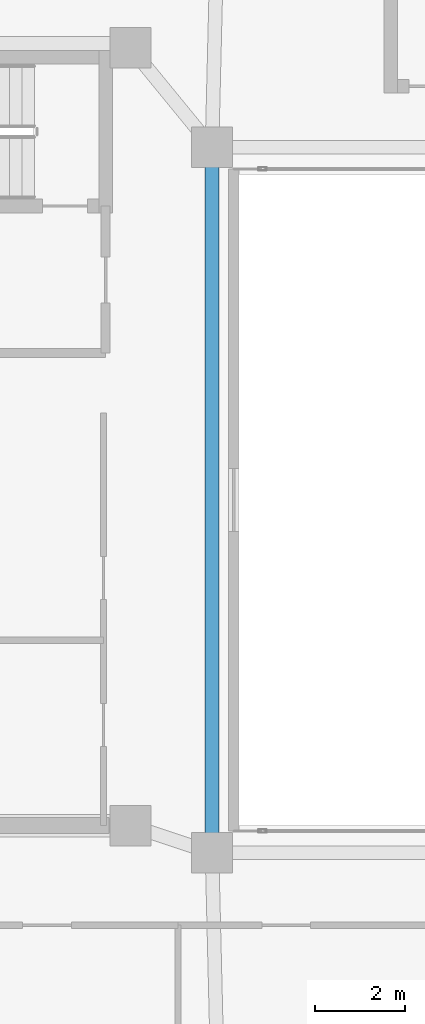
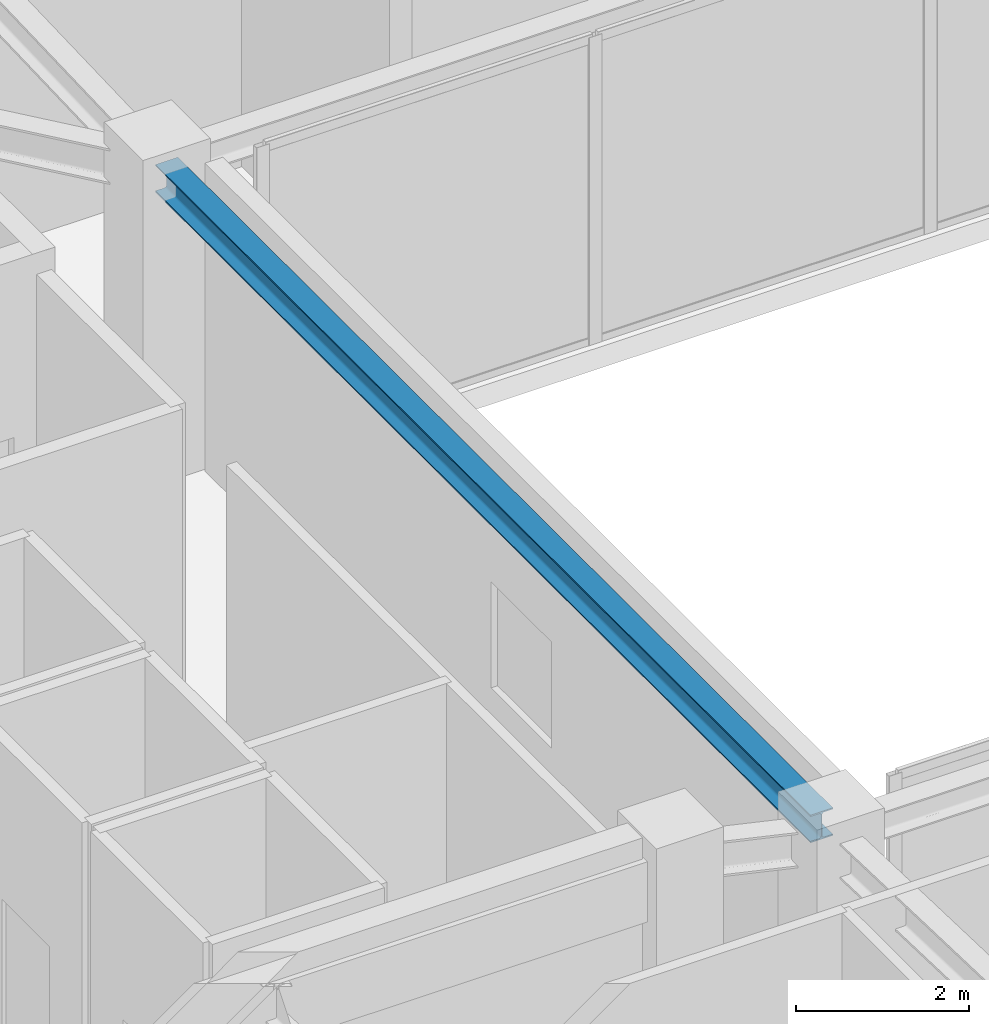
# One storey, part 9 of 34: 1 beam.
"""IFC4 building model written with IfcOpenShell, lengths in metres."""

import ifcopenshell
import ifcopenshell.guid

model = None  # the IFC model being written
_history = None  # IfcOwnerHistory: only IFC2X3 demands one
_inside = {}  # id of a spatial element -> (the spatial element, [elements in it])
_under = {}  # id of a project, library or spatial element -> (it, [spatial elements below it])
_declared = {}  # id of a project -> (the project, [libraries it declares])
_typed = {}  # id of a type object -> (the type object, [elements of that type])
_made_of = {}  # id of a material, layer set ... -> (it, [elements and type objects made of it])


def new_model(schema):
    """Start an empty IFC model of exactly this schema.

    Asked for "IFC4X3", IfcOpenShell would pick the latest addendum, in which some entities
    have other attributes; the version numbers below select the first issue.
    IFC2X3 requires an IfcOwnerHistory on every rooted entity: one is made here for all.
    """
    global model, _history
    if schema == "IFC4X3":
        model = ifcopenshell.file(schema_version=(4, 3, 0, 0))
    else:
        model = ifcopenshell.file(schema=schema)
    _inside.clear()
    _under.clear()
    _declared.clear()
    _typed.clear()
    _made_of.clear()
    _history = None
    if model.schema == "IFC2X3":
        org = make("IfcOrganization", Name="unknown")
        user = make(
            "IfcPersonAndOrganization",
            ThePerson=make("IfcPerson", FamilyName="unknown"),
            TheOrganization=org,
        )
        app = make(
            "IfcApplication",
            ApplicationDeveloper=org,
            Version="unknown",
            ApplicationFullName="unknown",
            ApplicationIdentifier="unknown",
        )
        _history = make(
            "IfcOwnerHistory",
            OwningUser=user,
            OwningApplication=app,
            ChangeAction="ADDED",
            CreationDate=0,
        )
    return model


def make(cls, **values):
    """One entity of the class cls with the attributes given. An attribute that is None is left unset."""
    return model.create_entity(
        cls, **{name: value for name, value in values.items() if value is not None}
    )


def rooted(cls, **values):
    """An entity with a GlobalId (a new one), such as an element, a storey or a relation."""
    return make(cls, GlobalId=ifcopenshell.guid.new(), OwnerHistory=_history, **values)


def si_unit(unit_type, name, prefix=None):
    """IfcSIUnit, for example si_unit("LENGTHUNIT", "METRE", prefix="MILLI")."""
    return make("IfcSIUnit", UnitType=unit_type, Prefix=prefix, Name=name)


def assignment(units):
    """IfcUnitAssignment: the units of a project."""
    return None if units is None else make("IfcUnitAssignment", Units=units)


def point(xyz):
    """IfcCartesianPoint."""
    return None if xyz is None else make("IfcCartesianPoint", Coordinates=xyz)


def direction(xyz):
    """IfcDirection."""
    return None if xyz is None else make("IfcDirection", DirectionRatios=xyz)


def frame(location, z_axis=None, x_axis=None):
    """IfcAxis2Placement3D, a coordinate frame: its origin and axes. An axis left out is left unset."""
    return make(
        "IfcAxis2Placement3D",
        Location=point(location),
        Axis=direction(z_axis),
        RefDirection=direction(x_axis),
    )


def frame_2d(location, x_axis=None):
    """IfcAxis2Placement2D, a coordinate frame in the plane: its origin and x axis."""
    return make(
        "IfcAxis2Placement2D", Location=point(location), RefDirection=direction(x_axis)
    )


def origin():
    """The frame at (0, 0, 0) with its axes left unset."""
    return frame((0.0, 0.0, 0.0))


def origin_2d():
    """The frame at (0, 0) in the plane with its x axis left unset."""
    return frame_2d((0.0, 0.0))


def place(relative_to, where):
    """IfcLocalPlacement: puts the frame where relative to a parent placement (None: the world)."""
    return make(
        "IfcLocalPlacement", PlacementRelTo=relative_to, RelativePlacement=where
    )


def context(
    kind, dimensions, precision=None, world=None, true_north=None, identifier=None
):
    """IfcGeometricRepresentationContext, for example the 3D "Model" context."""
    return make(
        "IfcGeometricRepresentationContext",
        ContextIdentifier=identifier,
        ContextType=kind,
        CoordinateSpaceDimension=dimensions,
        Precision=precision,
        WorldCoordinateSystem=world,
        TrueNorth=true_north,
    )


def subcontext(parent, identifier, kind, view, scale=None):
    """IfcGeometricRepresentationSubContext, for example "Body" below "Model"."""
    return make(
        "IfcGeometricRepresentationSubContext",
        ContextIdentifier=identifier,
        ContextType=kind,
        ParentContext=parent,
        TargetScale=scale,
        TargetView=view,
    )


def project(units=None, contexts=None):
    """IfcProject with its units and contexts."""
    return rooted(
        "IfcProject",
        Name="project",
        RepresentationContexts=contexts,
        UnitsInContext=assignment(units),
    )


def spatial(cls, under=None, at=None, **own):
    """A site, building, storey or space (cls), placed at a placement, below another one or the project."""
    s = rooted(cls, ObjectPlacement=at, **own)
    if under is not None:
        _under.setdefault(under.id(), (under, []))[1].append(s)
    return s


def profile(cls, at=None, kind="AREA", **sizes):
    """A parametric profile (cls). Its sizes go by their IFC names, for example OverallWidth=200.0."""
    return make(cls, ProfileType=kind, Position=at, **sizes)


def i_section(**sizes):
    """IfcIShapeProfileDef."""
    return profile("IfcIShapeProfileDef", **sizes)


def extrude(swept, where, along, depth):
    """IfcExtrudedAreaSolid: the profile swept, set in the frame where, extruded along a direction by depth."""
    return make(
        "IfcExtrudedAreaSolid",
        SweptArea=swept,
        Position=where,
        ExtrudedDirection=direction(along),
        Depth=depth,
    )


def shape(context_of_items, identifier, shape_type, items):
    """IfcShapeRepresentation: the items that make up one representation, for example the "Body"."""
    return make(
        "IfcShapeRepresentation",
        ContextOfItems=context_of_items,
        RepresentationIdentifier=identifier,
        RepresentationType=shape_type,
        Items=items,
    )


def material(Name=None, Category=None):
    """IfcMaterial."""
    return make("IfcMaterial", Name=Name, Category=Category)


def material_profile(
    of_material, cross_section, Name=None, Category=None, Priority=None
):
    """IfcMaterialProfile: a cross section and its material."""
    return make(
        "IfcMaterialProfile",
        Name=Name,
        Material=of_material,
        Profile=cross_section,
        Priority=Priority,
        Category=Category,
    )


def profile_set(profiles, Name=None, composite=None):
    """IfcMaterialProfileSet."""
    return make(
        "IfcMaterialProfileSet",
        Name=Name,
        MaterialProfiles=profiles,
        CompositeProfile=composite,
    )


def made_of(thing, what):
    """Note that an element or type object is made of a material, layer set ...; save() writes the relation."""
    if what is not None:
        _made_of.setdefault(what.id(), (what, []))[1].append(thing)
    return thing


def type_object(cls, material=None, **own):
    """A type object (cls), such as IfcWallType, which elements share."""
    return made_of(rooted(cls, **own), material)


def element(
    cls,
    number,
    at=None,
    inside=None,
    cuts=None,
    type_object=None,
    material=None,
    context=None,
    identifier="Body",
    shape_type=None,
    held_by="IfcProductDefinitionShape",
    body=None,
    shapes=None,
    **own,
):
    """One element of the class cls, such as IfcWall. Its Tag is "e" and its number.

    at: its placement. inside: the storey or other place that contains it. cuts: it is an
    opening in that element (IfcRelVoidsElement). A single representation is given by context,
    identifier, shape_type and body (its items); several are given by shapes. held_by: the class
    of the entity that holds the representations. save() writes the other relations.
    """
    e = rooted(cls, Tag="e%d" % number, ObjectPlacement=at, **own)
    if body is not None:
        shapes = [shape(context, identifier, shape_type, body)]
    if shapes is not None:
        e.Representation = make(held_by, Representations=shapes)
    if inside is not None:
        _inside.setdefault(inside.id(), (inside, []))[1].append(e)
    if cuts is not None:
        rooted(
            "IfcRelVoidsElement", RelatingBuildingElement=cuts, RelatedOpeningElement=e
        )
    if type_object is not None:
        _typed.setdefault(type_object.id(), (type_object, []))[1].append(e)
    return made_of(e, material)


def aggregate(whole, parts):
    """IfcRelAggregates: a whole, such as a stair, and the parts it consists of."""
    return rooted("IfcRelAggregates", RelatingObject=whole, RelatedObjects=parts)


def save(model, path):
    """Write the relations noted so far, then the file.

    IfcRelAggregates (storeys below a building ...), IfcRelContainedInSpatialStructure (elements
    in a storey), IfcRelDefinesByType, IfcRelAssociatesMaterial and IfcRelDeclares: one each for
    every whole, place, type object, material and project.
    """
    for whole, parts in _under.values():
        aggregate(whole, parts)
    for where, things in _inside.values():
        rooted(
            "IfcRelContainedInSpatialStructure",
            RelatedElements=things,
            RelatingStructure=where,
        )
    for kind, things in _typed.values():
        rooted("IfcRelDefinesByType", RelatedObjects=things, RelatingType=kind)
    for what, things in _made_of.values():
        rooted("IfcRelAssociatesMaterial", RelatedObjects=things, RelatingMaterial=what)
    for by, libraries in _declared.values():
        rooted("IfcRelDeclares", RelatingContext=by, RelatedDefinitions=libraries)
    model.write(path)


model = new_model("IFC4")

# Units and contexts
model_context = context("Model", 3, precision=1e-05, world=origin(), true_north=direction((0.0, 1.0)))
body_context = subcontext(model_context, "Body", "Model", "MODEL_VIEW")
ifc_project = project(units=[si_unit("LENGTHUNIT", "METRE"), si_unit("AREAUNIT", "SQUARE_METRE"), si_unit("VOLUMEUNIT", "CUBIC_METRE"), si_unit("PLANEANGLEUNIT", "RADIAN"), si_unit("MASSUNIT", "GRAM", prefix="KILO")], contexts=[model_context])

# Site, building, storey
site_placement = place(None, origin())
site = spatial("IfcSite", under=ifc_project, at=site_placement, CompositionType="ELEMENT")
building_placement = place(site_placement, origin())
building = spatial("IfcBuilding", under=site, at=building_placement, Name="Tarnavaz Court Tower", CompositionType="ELEMENT")
storey_placement = place(building_placement, frame((0.0, 0.0, 231.75)))
storey = spatial("IfcBuildingStorey", under=building, at=storey_placement, Name="L63", CompositionType="ELEMENT", Elevation=231.75)

# Beam
ifc_material = material(Name="Steel S355", Category="steel")
ifc_material_profile = material_profile(ifc_material, i_section(OverallWidth=0.300048828125, OverallDepth=0.389892578125, WebThickness=0.010986328125, FlangeThickness=0.01904296875, FilletRadius=0.027099609375, at=origin_2d()), Name="HEA 400")
ifc_profile_set = profile_set([ifc_material_profile], Name="Steel S355")
beam_type = type_object("IfcBeamType", Name="BM-SP-HEA400", PredefinedType="BEAM", material=ifc_profile_set)
beam_placement = place(storey_placement, frame((-7.800048828125, -7.580078125, 4.155029296875), z_axis=(0.0, 1.0, 0.0), x_axis=(-1.0, 0.0, 0.0)))
element("IfcBeam", 1, at=beam_placement, inside=storey, type_object=beam_type, Name="L63 Beam IN-IW-SW-IW-NW", PredefinedType="BEAM", context=body_context, shape_type="SweptSolid", body=[
    extrude(i_section(OverallWidth=0.300048828125, OverallDepth=0.389892578125, WebThickness=0.010986328125, FlangeThickness=0.01904296875, FilletRadius=0.027099609375, at=origin_2d()), origin(), (0.0, 0.0, 1.0), 15.16015625),
])

save(model, "model.ifc")
